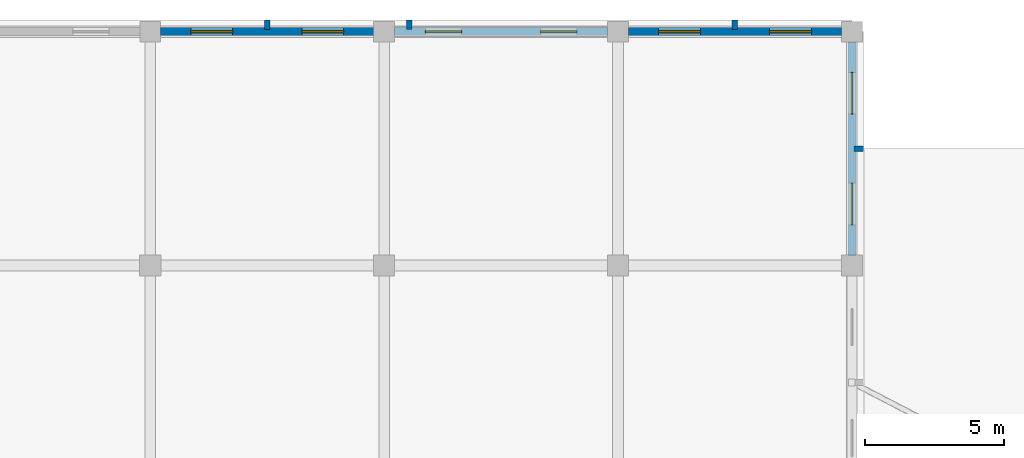
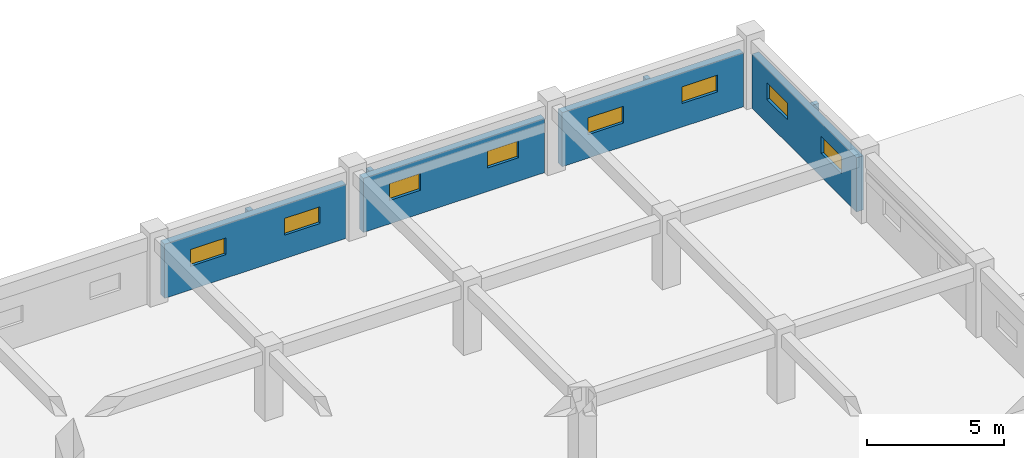
# One storey, part 185 of 200: 8 walls, 8 windows, 8 openings.
"""IFC4 building model written with IfcOpenShell, lengths in metres."""

import ifcopenshell
import ifcopenshell.guid

model = None  # the IFC model being written
_history = None  # IfcOwnerHistory: only IFC2X3 demands one
_inside = {}  # id of a spatial element -> (the spatial element, [elements in it])
_under = {}  # id of a project, library or spatial element -> (it, [spatial elements below it])
_declared = {}  # id of a project -> (the project, [libraries it declares])
_typed = {}  # id of a type object -> (the type object, [elements of that type])
_made_of = {}  # id of a material, layer set ... -> (it, [elements and type objects made of it])


def new_model(schema):
    """Start an empty IFC model of exactly this schema.

    Asked for "IFC4X3", IfcOpenShell would pick the latest addendum, in which some entities
    have other attributes; the version numbers below select the first issue.
    IFC2X3 requires an IfcOwnerHistory on every rooted entity: one is made here for all.
    """
    global model, _history
    if schema == "IFC4X3":
        model = ifcopenshell.file(schema_version=(4, 3, 0, 0))
    else:
        model = ifcopenshell.file(schema=schema)
    _inside.clear()
    _under.clear()
    _declared.clear()
    _typed.clear()
    _made_of.clear()
    _history = None
    if model.schema == "IFC2X3":
        org = make("IfcOrganization", Name="unknown")
        user = make(
            "IfcPersonAndOrganization",
            ThePerson=make("IfcPerson", FamilyName="unknown"),
            TheOrganization=org,
        )
        app = make(
            "IfcApplication",
            ApplicationDeveloper=org,
            Version="unknown",
            ApplicationFullName="unknown",
            ApplicationIdentifier="unknown",
        )
        _history = make(
            "IfcOwnerHistory",
            OwningUser=user,
            OwningApplication=app,
            ChangeAction="ADDED",
            CreationDate=0,
        )
    return model


def make(cls, **values):
    """One entity of the class cls with the attributes given. An attribute that is None is left unset."""
    return model.create_entity(
        cls, **{name: value for name, value in values.items() if value is not None}
    )


def rooted(cls, **values):
    """An entity with a GlobalId (a new one), such as an element, a storey or a relation."""
    return make(cls, GlobalId=ifcopenshell.guid.new(), OwnerHistory=_history, **values)


def si_unit(unit_type, name, prefix=None):
    """IfcSIUnit, for example si_unit("LENGTHUNIT", "METRE", prefix="MILLI")."""
    return make("IfcSIUnit", UnitType=unit_type, Prefix=prefix, Name=name)


def assignment(units):
    """IfcUnitAssignment: the units of a project."""
    return None if units is None else make("IfcUnitAssignment", Units=units)


def point(xyz):
    """IfcCartesianPoint."""
    return None if xyz is None else make("IfcCartesianPoint", Coordinates=xyz)


def direction(xyz):
    """IfcDirection."""
    return None if xyz is None else make("IfcDirection", DirectionRatios=xyz)


def frame(location, z_axis=None, x_axis=None):
    """IfcAxis2Placement3D, a coordinate frame: its origin and axes. An axis left out is left unset."""
    return make(
        "IfcAxis2Placement3D",
        Location=point(location),
        Axis=direction(z_axis),
        RefDirection=direction(x_axis),
    )


def frame_2d(location, x_axis=None):
    """IfcAxis2Placement2D, a coordinate frame in the plane: its origin and x axis."""
    return make(
        "IfcAxis2Placement2D", Location=point(location), RefDirection=direction(x_axis)
    )


def origin():
    """The frame at (0, 0, 0) with its axes left unset."""
    return frame((0.0, 0.0, 0.0))


def place(relative_to, where):
    """IfcLocalPlacement: puts the frame where relative to a parent placement (None: the world)."""
    return make(
        "IfcLocalPlacement", PlacementRelTo=relative_to, RelativePlacement=where
    )


def context(
    kind, dimensions, precision=None, world=None, true_north=None, identifier=None
):
    """IfcGeometricRepresentationContext, for example the 3D "Model" context."""
    return make(
        "IfcGeometricRepresentationContext",
        ContextIdentifier=identifier,
        ContextType=kind,
        CoordinateSpaceDimension=dimensions,
        Precision=precision,
        WorldCoordinateSystem=world,
        TrueNorth=true_north,
    )


def subcontext(parent, identifier, kind, view, scale=None):
    """IfcGeometricRepresentationSubContext, for example "Body" below "Model"."""
    return make(
        "IfcGeometricRepresentationSubContext",
        ContextIdentifier=identifier,
        ContextType=kind,
        ParentContext=parent,
        TargetScale=scale,
        TargetView=view,
    )


def project(units=None, contexts=None):
    """IfcProject with its units and contexts."""
    return rooted(
        "IfcProject",
        Name="project",
        RepresentationContexts=contexts,
        UnitsInContext=assignment(units),
    )


def spatial(cls, under=None, at=None, **own):
    """A site, building, storey or space (cls), placed at a placement, below another one or the project."""
    s = rooted(cls, ObjectPlacement=at, **own)
    if under is not None:
        _under.setdefault(under.id(), (under, []))[1].append(s)
    return s


def profile(cls, at=None, kind="AREA", **sizes):
    """A parametric profile (cls). Its sizes go by their IFC names, for example OverallWidth=200.0."""
    return make(cls, ProfileType=kind, Position=at, **sizes)


def rectangle(**sizes):
    """IfcRectangleProfileDef."""
    return profile("IfcRectangleProfileDef", **sizes)


def extrude(swept, where, along, depth):
    """IfcExtrudedAreaSolid: the profile swept, set in the frame where, extruded along a direction by depth."""
    return make(
        "IfcExtrudedAreaSolid",
        SweptArea=swept,
        Position=where,
        ExtrudedDirection=direction(along),
        Depth=depth,
    )


def shape(context_of_items, identifier, shape_type, items):
    """IfcShapeRepresentation: the items that make up one representation, for example the "Body"."""
    return make(
        "IfcShapeRepresentation",
        ContextOfItems=context_of_items,
        RepresentationIdentifier=identifier,
        RepresentationType=shape_type,
        Items=items,
    )


def material(Name=None, Category=None):
    """IfcMaterial."""
    return make("IfcMaterial", Name=Name, Category=Category)


def layer(
    of_material, thickness, ventilated=None, Name=None, Category=None, Priority=None
):
    """IfcMaterialLayer: one layer of a wall or slab, of a material (None: an air gap)."""
    return make(
        "IfcMaterialLayer",
        Material=of_material,
        LayerThickness=thickness,
        IsVentilated=ventilated,
        Name=Name,
        Category=Category,
        Priority=Priority,
    )


def layer_set(layers, Name=None):
    """IfcMaterialLayerSet."""
    return make("IfcMaterialLayerSet", MaterialLayers=layers, LayerSetName=Name)


def made_of(thing, what):
    """Note that an element or type object is made of a material, layer set ...; save() writes the relation."""
    if what is not None:
        _made_of.setdefault(what.id(), (what, []))[1].append(thing)
    return thing


def type_object(cls, material=None, **own):
    """A type object (cls), such as IfcWallType, which elements share."""
    return made_of(rooted(cls, **own), material)


def element(
    cls,
    number,
    at=None,
    inside=None,
    cuts=None,
    type_object=None,
    material=None,
    context=None,
    identifier="Body",
    shape_type=None,
    held_by="IfcProductDefinitionShape",
    body=None,
    shapes=None,
    **own,
):
    """One element of the class cls, such as IfcWall. Its Tag is "e" and its number.

    at: its placement. inside: the storey or other place that contains it. cuts: it is an
    opening in that element (IfcRelVoidsElement). A single representation is given by context,
    identifier, shape_type and body (its items); several are given by shapes. held_by: the class
    of the entity that holds the representations. save() writes the other relations.
    """
    e = rooted(cls, Tag="e%d" % number, ObjectPlacement=at, **own)
    if body is not None:
        shapes = [shape(context, identifier, shape_type, body)]
    if shapes is not None:
        e.Representation = make(held_by, Representations=shapes)
    if inside is not None:
        _inside.setdefault(inside.id(), (inside, []))[1].append(e)
    if cuts is not None:
        rooted(
            "IfcRelVoidsElement", RelatingBuildingElement=cuts, RelatedOpeningElement=e
        )
    if type_object is not None:
        _typed.setdefault(type_object.id(), (type_object, []))[1].append(e)
    return made_of(e, material)


def fill(opening, filler):
    """IfcRelFillsElement: the door or window that sits in an opening."""
    return rooted(
        "IfcRelFillsElement",
        RelatingOpeningElement=opening,
        RelatedBuildingElement=filler,
    )


def aggregate(whole, parts):
    """IfcRelAggregates: a whole, such as a stair, and the parts it consists of."""
    return rooted("IfcRelAggregates", RelatingObject=whole, RelatedObjects=parts)


def save(model, path):
    """Write the relations noted so far, then the file.

    IfcRelAggregates (storeys below a building ...), IfcRelContainedInSpatialStructure (elements
    in a storey), IfcRelDefinesByType, IfcRelAssociatesMaterial and IfcRelDeclares: one each for
    every whole, place, type object, material and project.
    """
    for whole, parts in _under.values():
        aggregate(whole, parts)
    for where, things in _inside.values():
        rooted(
            "IfcRelContainedInSpatialStructure",
            RelatedElements=things,
            RelatingStructure=where,
        )
    for kind, things in _typed.values():
        rooted("IfcRelDefinesByType", RelatedObjects=things, RelatingType=kind)
    for what, things in _made_of.values():
        rooted("IfcRelAssociatesMaterial", RelatedObjects=things, RelatingMaterial=what)
    for by, libraries in _declared.values():
        rooted("IfcRelDeclares", RelatingContext=by, RelatedDefinitions=libraries)
    model.write(path)


model = new_model("IFC4")

# Units and contexts
model_context = context("Model", 3, precision=1e-05, world=origin(), true_north=direction((0.0, 1.0)))
body_context = subcontext(model_context, "Body", "Model", "MODEL_VIEW")
ifc_project = project(units=[si_unit("LENGTHUNIT", "METRE"), si_unit("AREAUNIT", "SQUARE_METRE"), si_unit("VOLUMEUNIT", "CUBIC_METRE"), si_unit("PLANEANGLEUNIT", "RADIAN"), si_unit("MASSUNIT", "GRAM", prefix="KILO")], contexts=[model_context])

# Site, building, storey
site_placement = place(None, origin())
site = spatial("IfcSite", under=ifc_project, at=site_placement, CompositionType="ELEMENT")
building_placement = place(site_placement, origin())
building = spatial("IfcBuilding", under=site, at=building_placement, Name="Trelvath General Hospital", CompositionType="ELEMENT")
storey_placement = place(building_placement, frame((0.0, 0.0, 4.800048828125)))
storey = spatial("IfcBuildingStorey", under=building, at=storey_placement, Name="L01", CompositionType="ELEMENT", Elevation=4.800048828125)

# Walls
ifc_material_1 = material(Name="Precast concrete C40/50", Category="concrete")
ifc_layer_1 = layer(ifc_material_1, 0.199951171875)
ifc_layer_set_1 = layer_set([ifc_layer_1], Name="Precast concrete C40/50")
wall_type_1 = type_object("IfcWallType", Name="BriseSoleilRib 200", PredefinedType="ELEMENTEDWALL", material=ifc_layer_set_1)
for number, where, z_axis, x_axis, name in (
    (1, (163.800048828125, 117.675048828125, 0.0), (0.0, 0.0, 1.0), (0.0, 1.0, 0.0), "Precast Concrete Brise-Soleil Rib Fin L01-142"),
    (2, (168.90625, 117.675048828125, 0.0), (0.0, 0.0, 1.0), (0.0, 1.0, 0.0), "Precast Concrete Brise-Soleil Rib Fin L01-144"),
    (3, (180.60009765625, 117.675048828125, 0.0), (0.0, 0.0, 1.0), (0.0, 1.0, 0.0), "Precast Concrete Brise-Soleil Rib Fin L01-157"),
):
    element("IfcWall", number, at=place(storey_placement, frame(where, z_axis=z_axis, x_axis=x_axis)), inside=storey, type_object=wall_type_1, Name=name, PredefinedType="ELEMENTEDWALL", context=body_context, shape_type="SweptSolid", body=[
        extrude(rectangle(XDim=0.33984375, YDim=0.199951171875, at=frame_2d((0.169921875, 0.0))), origin(), (0.0, 0.0, 1.0), 2.39990234375),
    ])
wall_1_placement = place(storey_placement, frame((184.875, 113.39990234375, 0.0), z_axis=(0.0, 0.0, 1.0), x_axis=(1.0, 0.0, 0.0)))
element("IfcWall", 4, at=wall_1_placement, inside=storey, type_object=wall_type_1, Name="Precast Concrete Brise-Soleil Rib Fin L01-158", PredefinedType="ELEMENTEDWALL", context=body_context, shape_type="SweptSolid", body=[
    extrude(rectangle(XDim=0.340087890625, YDim=0.199951171875, at=frame_2d((0.169921875, 0.0))), origin(), (0.0, 0.0, 1.0), 2.39990234375),
])

# Wall, openings, windows
ifc_material_2 = material(Name="Concrete C35/45", Category="concrete")
ifc_layer_2 = layer(ifc_material_2, 0.2900390625)
ifc_layer_set_2 = layer_set([ifc_layer_2], Name="Concrete C35/45")
wall_type_2 = type_object("IfcWallType", Name="ExtBushHammeredWall 290", PredefinedType="SOLIDWALL", material=ifc_layer_set_2)
wall_2_placement = place(storey_placement, frame((159.969970703125, 117.60009765625, 0.0), z_axis=(0.0, 0.0, 1.0), x_axis=(1.0, 0.0, 0.0)))
wall_2 = element("IfcWall", 5, at=wall_2_placement, inside=storey, type_object=wall_type_2, Name="Exterior Concrete Wall L01-206", PredefinedType="SOLIDWALL", context=body_context, shape_type="SweptSolid", body=[
    extrude(rectangle(XDim=7.659912109375, YDim=0.2900390625, at=frame_2d((3.830078125, 0.0))), origin(), (0.0, 0.0, 1.0), 2.419921875),
])
opening_1_placement = place(wall_2_placement, frame((1.08837890625, 0.0, 1.050048828125)))
opening_1 = element("IfcOpeningElement", 6, at=opening_1_placement, cuts=wall_2, Name="Opening WN-1-313", PredefinedType="OPENING", context=body_context, shape_type="SweptSolid", body=[
    extrude(rectangle(XDim=1.5, YDim=0.75, at=frame_2d((0.75, 0.375))), frame((0.0, 0.155029296875, 0.0), z_axis=(0.0, -1.0, 0.0), x_axis=(1.0, 0.0, 0.0)), (0.0, 0.0, 1.0), 0.31005859375),
])
opening_2_placement = place(wall_2_placement, frame((5.071533203125, 0.0, 1.050048828125)))
opening_2 = element("IfcOpeningElement", 7, at=opening_2_placement, cuts=wall_2, Name="Opening WN-1-314", PredefinedType="OPENING", context=body_context, shape_type="SweptSolid", body=[
    extrude(rectangle(XDim=1.5, YDim=0.75, at=frame_2d((0.75, 0.375))), frame((0.0, 0.155029296875, 0.0), z_axis=(0.0, -1.0, 0.0), x_axis=(1.0, 0.0, 0.0)), (0.0, 0.0, 1.0), 0.31005859375),
])
ifc_material_3 = material(Name="Low-E laminated glass", Category="glass")
window_type_1 = type_object("IfcWindowType", Name="Window InterstitialVent 1500x750", PartitioningType="DOUBLE_PANEL_HORIZONTAL", PredefinedType="WINDOW", material=ifc_material_3)
window_1_placement = place(opening_1_placement, origin())
window_1 = element("IfcWindow", 8, at=window_1_placement, inside=storey, type_object=window_type_1, Name="Solar Reveal Window L01-313", OverallHeight=0.75, OverallWidth=1.5, PartitioningType="SINGLE_PANEL", PredefinedType="WINDOW", context=body_context, shape_type="SweptSolid", body=[
    extrude(rectangle(XDim=1.5, YDim=0.75, at=frame_2d((0.75, 0.375))), frame((0.0, 0.030029296875, 0.0), z_axis=(0.0, -1.0, 0.0), x_axis=(1.0, 0.0, 0.0)), (0.0, 0.0, 1.0), 0.06005859375),
])
fill(opening_1, window_1)
window_2_placement = place(opening_2_placement, origin())
window_2 = element("IfcWindow", 9, at=window_2_placement, inside=storey, type_object=window_type_1, Name="Solar Reveal Window L01-314", OverallHeight=0.75, OverallWidth=1.5, PartitioningType="SINGLE_PANEL", PredefinedType="WINDOW", context=body_context, shape_type="SweptSolid", body=[
    extrude(rectangle(XDim=1.5, YDim=0.75, at=frame_2d((0.75, 0.375))), frame((0.0, 0.030029296875, 0.0), z_axis=(0.0, -1.0, 0.0), x_axis=(1.0, 0.0, 0.0)), (0.0, 0.0, 1.0), 0.06005859375),
])
fill(opening_2, window_2)

wall_3_placement = place(storey_placement, frame((168.3701171875, 117.60009765625, 0.0), z_axis=(0.0, 0.0, 1.0), x_axis=(1.0, 0.0, 0.0)))
wall_3 = element("IfcWall", 10, at=wall_3_placement, inside=storey, type_object=wall_type_2, Name="Exterior Concrete Wall L01-210", PredefinedType="SOLIDWALL", context=body_context, shape_type="SweptSolid", body=[
    extrude(rectangle(XDim=7.659912109375, YDim=0.2900390625, at=frame_2d((3.830078125, 0.0))), origin(), (0.0, 0.0, 1.0), 2.419921875),
])
opening_3_placement = place(wall_3_placement, frame((1.11181640625, 0.0, 1.050048828125)))
opening_3 = element("IfcOpeningElement", 11, at=opening_3_placement, cuts=wall_3, Name="Opening WN-1-321", PredefinedType="OPENING", context=body_context, shape_type="SweptSolid", body=[
    extrude(rectangle(XDim=1.300048828125, YDim=0.75, at=frame_2d((0.64990234375, 0.375))), frame((0.0, 0.155029296875, 0.0), z_axis=(0.0, -1.0, 0.0), x_axis=(1.0, 0.0, 0.0)), (0.0, 0.0, 1.0), 0.31005859375),
])
opening_4_placement = place(wall_3_placement, frame((5.248291015625, 0.0, 1.050048828125)))
opening_4 = element("IfcOpeningElement", 12, at=opening_4_placement, cuts=wall_3, Name="Opening WN-1-322", PredefinedType="OPENING", context=body_context, shape_type="SweptSolid", body=[
    extrude(rectangle(XDim=1.300048828125, YDim=0.75, at=frame_2d((0.64990234375, 0.375))), frame((0.0, 0.155029296875, 0.0), z_axis=(0.0, -1.0, 0.0), x_axis=(1.0, 0.0, 0.0)), (0.0, 0.0, 1.0), 0.31005859375),
])
ifc_material_4 = material(Name="Low-E laminated glass", Category="glass")
window_type_2 = type_object("IfcWindowType", Name="Window InterstitialVent 1300x750", PartitioningType="DOUBLE_PANEL_HORIZONTAL", PredefinedType="WINDOW", material=ifc_material_4)
window_3_placement = place(opening_3_placement, origin())
window_3 = element("IfcWindow", 13, at=window_3_placement, inside=storey, type_object=window_type_2, Name="Solar Reveal Window L01-321", OverallHeight=0.75, OverallWidth=1.300048828125, PartitioningType="SINGLE_PANEL", PredefinedType="WINDOW", context=body_context, shape_type="SweptSolid", body=[
    extrude(rectangle(XDim=1.300048828125, YDim=0.75, at=frame_2d((0.64990234375, 0.375))), frame((0.0, 0.030029296875, 0.0), z_axis=(0.0, -1.0, 0.0), x_axis=(1.0, 0.0, 0.0)), (0.0, 0.0, 1.0), 0.06005859375),
])
fill(opening_3, window_3)
window_4_placement = place(opening_4_placement, origin())
window_4 = element("IfcWindow", 14, at=window_4_placement, inside=storey, type_object=window_type_2, Name="Solar Reveal Window L01-322", OverallHeight=0.75, OverallWidth=1.300048828125, PartitioningType="SINGLE_PANEL", PredefinedType="WINDOW", context=body_context, shape_type="SweptSolid", body=[
    extrude(rectangle(XDim=1.300048828125, YDim=0.75, at=frame_2d((0.64990234375, 0.375))), frame((0.0, 0.030029296875, 0.0), z_axis=(0.0, -1.0, 0.0), x_axis=(1.0, 0.0, 0.0)), (0.0, 0.0, 1.0), 0.06005859375),
])
fill(opening_4, window_4)

wall_4_placement = place(storey_placement, frame((176.77001953125, 117.60009765625, 0.0), z_axis=(0.0, 0.0, 1.0), x_axis=(1.0, 0.0, 0.0)))
wall_4 = element("IfcWall", 15, at=wall_4_placement, inside=storey, type_object=wall_type_2, Name="Exterior Concrete Wall L01-218", PredefinedType="SOLIDWALL", context=body_context, shape_type="SweptSolid", body=[
    extrude(rectangle(XDim=7.659912109375, YDim=0.2900390625, at=frame_2d((3.830078125, 0.0))), origin(), (0.0, 0.0, 1.0), 2.419921875),
])
opening_5_placement = place(wall_4_placement, frame((1.08837890625, 0.0, 1.050048828125)))
opening_5 = element("IfcOpeningElement", 16, at=opening_5_placement, cuts=wall_4, Name="Opening WN-1-337", PredefinedType="OPENING", context=body_context, shape_type="SweptSolid", body=[
    extrude(rectangle(XDim=1.5, YDim=0.75, at=frame_2d((0.75, 0.375))), frame((0.0, 0.155029296875, 0.0), z_axis=(0.0, -1.0, 0.0), x_axis=(1.0, 0.0, 0.0)), (0.0, 0.0, 1.0), 0.31005859375),
])
opening_6_placement = place(wall_4_placement, frame((5.071533203125, 0.0, 1.050048828125)))
opening_6 = element("IfcOpeningElement", 17, at=opening_6_placement, cuts=wall_4, Name="Opening WN-1-338", PredefinedType="OPENING", context=body_context, shape_type="SweptSolid", body=[
    extrude(rectangle(XDim=1.5, YDim=0.75, at=frame_2d((0.75, 0.375))), frame((0.0, 0.155029296875, 0.0), z_axis=(0.0, -1.0, 0.0), x_axis=(1.0, 0.0, 0.0)), (0.0, 0.0, 1.0), 0.31005859375),
])
window_5_placement = place(opening_5_placement, origin())
window_5 = element("IfcWindow", 18, at=window_5_placement, inside=storey, type_object=window_type_1, Name="Solar Reveal Window L01-337", OverallHeight=0.75, OverallWidth=1.5, PartitioningType="SINGLE_PANEL", PredefinedType="WINDOW", context=body_context, shape_type="SweptSolid", body=[
    extrude(rectangle(XDim=1.5, YDim=0.75, at=frame_2d((0.75, 0.375))), frame((0.0, 0.030029296875, 0.0), z_axis=(0.0, -1.0, 0.0), x_axis=(1.0, 0.0, 0.0)), (0.0, 0.0, 1.0), 0.06005859375),
])
fill(opening_5, window_5)
window_6_placement = place(opening_6_placement, origin())
window_6 = element("IfcWindow", 19, at=window_6_placement, inside=storey, type_object=window_type_1, Name="Solar Reveal Window L01-338", OverallHeight=0.75, OverallWidth=1.5, PartitioningType="SINGLE_PANEL", PredefinedType="WINDOW", context=body_context, shape_type="SweptSolid", body=[
    extrude(rectangle(XDim=1.5, YDim=0.75, at=frame_2d((0.75, 0.375))), frame((0.0, 0.030029296875, 0.0), z_axis=(0.0, -1.0, 0.0), x_axis=(1.0, 0.0, 0.0)), (0.0, 0.0, 1.0), 0.06005859375),
])
fill(opening_6, window_6)

wall_5_placement = place(storey_placement, frame((184.800048828125, 117.22998046875, 0.0), z_axis=(0.0, 0.0, 1.0), x_axis=(0.0, -1.0, 0.0)))
wall_5 = element("IfcWall", 20, at=wall_5_placement, inside=storey, type_object=wall_type_2, Name="Exterior Concrete Wall L01-219", PredefinedType="SOLIDWALL", context=body_context, shape_type="SweptSolid", body=[
    extrude(rectangle(XDim=7.659912109375, YDim=0.2900390625, at=frame_2d((3.830078125, 0.0))), origin(), (0.0, 0.0, 1.0), 2.419921875),
])
opening_7_placement = place(wall_5_placement, frame((1.08837890625, 0.0, 1.050048828125)))
opening_7 = element("IfcOpeningElement", 21, at=opening_7_placement, cuts=wall_5, Name="Opening WN-1-339", PredefinedType="OPENING", context=body_context, shape_type="SweptSolid", body=[
    extrude(rectangle(XDim=1.5, YDim=0.75, at=frame_2d((0.75, 0.375))), frame((0.0, 0.155029296875, 0.0), z_axis=(0.0, -1.0, 0.0), x_axis=(1.0, 0.0, 0.0)), (0.0, 0.0, 1.0), 0.31005859375),
])
opening_8_placement = place(wall_5_placement, frame((5.071533203125, 0.0, 1.050048828125)))
opening_8 = element("IfcOpeningElement", 22, at=opening_8_placement, cuts=wall_5, Name="Opening WN-1-340", PredefinedType="OPENING", context=body_context, shape_type="SweptSolid", body=[
    extrude(rectangle(XDim=1.5, YDim=0.75, at=frame_2d((0.75, 0.375))), frame((0.0, 0.155029296875, 0.0), z_axis=(0.0, -1.0, 0.0), x_axis=(1.0, 0.0, 0.0)), (0.0, 0.0, 1.0), 0.31005859375),
])
window_7_placement = place(opening_7_placement, origin())
window_7 = element("IfcWindow", 23, at=window_7_placement, inside=storey, type_object=window_type_1, Name="Solar Reveal Window L01-339", OverallHeight=0.75, OverallWidth=1.5, PartitioningType="SINGLE_PANEL", PredefinedType="WINDOW", context=body_context, shape_type="SweptSolid", body=[
    extrude(rectangle(XDim=1.5, YDim=0.75, at=frame_2d((0.75, 0.375))), frame((0.0, 0.030029296875, 0.0), z_axis=(0.0, -1.0, 0.0), x_axis=(1.0, 0.0, 0.0)), (0.0, 0.0, 1.0), 0.06005859375),
])
fill(opening_7, window_7)
window_8_placement = place(opening_8_placement, origin())
window_8 = element("IfcWindow", 24, at=window_8_placement, inside=storey, type_object=window_type_1, Name="Solar Reveal Window L01-340", OverallHeight=0.75, OverallWidth=1.5, PartitioningType="SINGLE_PANEL", PredefinedType="WINDOW", context=body_context, shape_type="SweptSolid", body=[
    extrude(rectangle(XDim=1.5, YDim=0.75, at=frame_2d((0.75, 0.375))), frame((0.0, 0.030029296875, 0.0), z_axis=(0.0, -1.0, 0.0), x_axis=(1.0, 0.0, 0.0)), (0.0, 0.0, 1.0), 0.06005859375),
])
fill(opening_8, window_8)

save(model, "model.ifc")
